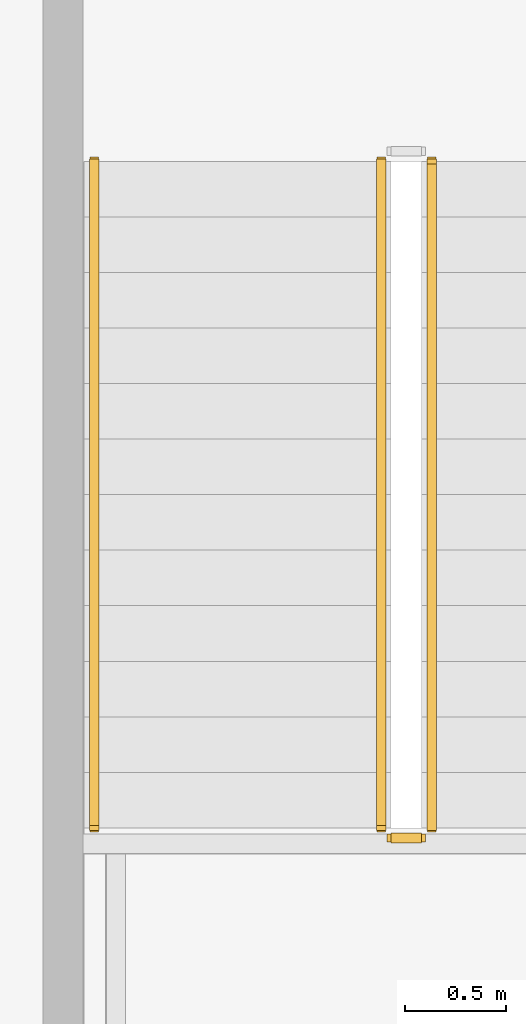
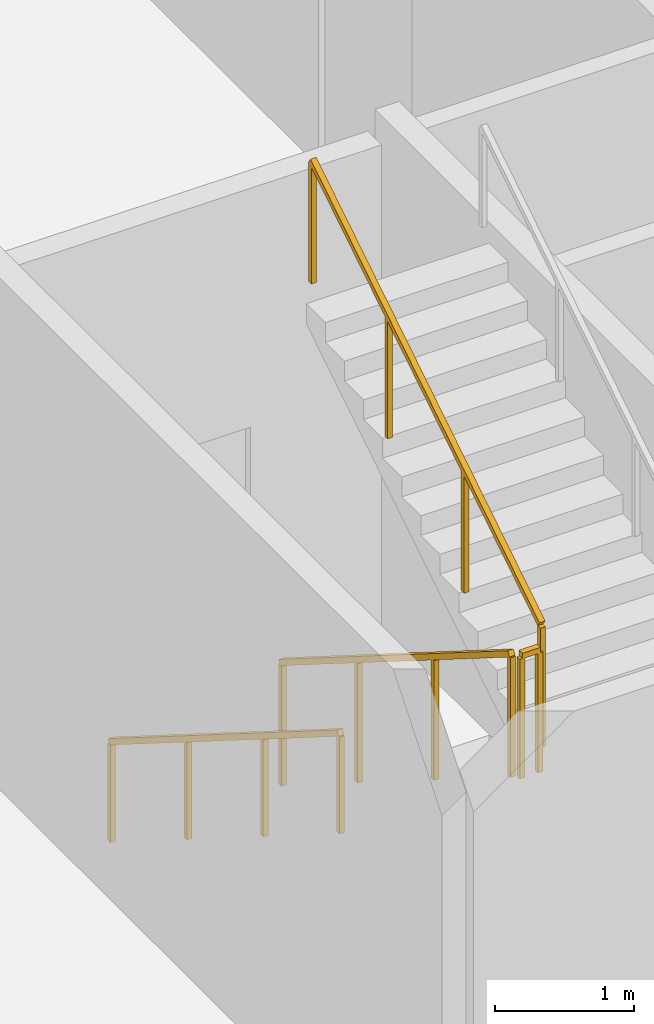
# One storey, part 13 of 18: 4 railings.
"""IFC4 building model written with IfcOpenShell, lengths in metres."""

from ifc_helpers import new_model, si_unit, direction, frame, origin, origin_2d, place, context, subcontext, project, spatial, rectangle, extrude, material, type_object, element, save


model = new_model("IFC4")

# Units and contexts
model_context = context("Model", 3, precision=1e-05, world=origin(), true_north=direction((0.0, 1.0)))
body_context = subcontext(model_context, "Body", "Model", "MODEL_VIEW")
ifc_project = project(units=[si_unit("LENGTHUNIT", "METRE"), si_unit("AREAUNIT", "SQUARE_METRE"), si_unit("VOLUMEUNIT", "CUBIC_METRE"), si_unit("PLANEANGLEUNIT", "RADIAN"), si_unit("MASSUNIT", "GRAM", prefix="KILO")], contexts=[model_context])

# Site, building, storey
site_placement = place(None, origin())
site = spatial("IfcSite", under=ifc_project, at=site_placement, CompositionType="ELEMENT")
building_placement = place(site_placement, origin())
building = spatial("IfcBuilding", under=site, at=building_placement, Name="Cinnabar Lancet Tower", CompositionType="ELEMENT")
storey_placement = place(building_placement, frame((0.0, 0.0, 10.5)))
storey = spatial("IfcBuildingStorey", under=building, at=storey_placement, Name="L02", CompositionType="ELEMENT", Elevation=10.5)

# Railings
ifc_material_1 = material(Name="Painted galvanized steel balustrade", Category="steel")
railing_type_1 = type_object("IfcRailingType", Name="GUARD-STAIR", PredefinedType="GUARDRAIL", material=ifc_material_1)
railing_1_placement = place(storey_placement, frame((15.695068359375, 16.14990234375, 0.173095703125)))
element("IfcRailing", 1, at=railing_1_placement, inside=storey, type_object=railing_type_1, Name="L02 ST-3 stair guard 1", PredefinedType="GUARDRAIL", context=body_context, shape_type="SweptSolid", body=[
    extrude(rectangle(XDim=0.048095703125, YDim=0.048095703125, at=origin_2d()), frame((0.0, 0.0, 1.076171875), z_axis=(0.0, -0.846319618018, 0.532675421018), x_axis=(1.0, 0.0, 0.0)), (0.0, 0.0, 1.0), 3.89892578125),
    extrude(rectangle(XDim=0.0419921875, YDim=0.0419921875, at=origin_2d()), origin(), (0.0, 0.0, 1.0), 1.052001953125),
    extrude(rectangle(XDim=0.0419921875, YDim=0.0419921875, at=origin_2d()), frame((0.0, -1.099853515625, 0.6923828125)), (0.0, 0.0, 1.0), 1.052001953125),
    extrude(rectangle(XDim=0.0419921875, YDim=0.0419921875, at=origin_2d()), frame((0.0, -2.199951171875, 1.384521484375)), (0.0, 0.0, 1.0), 1.052001953125),
    extrude(rectangle(XDim=0.0419921875, YDim=0.0419921875, at=origin_2d()), frame((0.0, -3.2998046875, 2.076904296875)), (0.0, 0.0, 1.0), 1.052001953125),
])
railing_2_placement = place(storey_placement, frame((15.7451171875, 12.800048828125, 2.25)))
element("IfcRailing", 2, at=railing_2_placement, inside=storey, type_object=railing_type_1, Name="L02 ST-3 stair guard 2", PredefinedType="GUARDRAIL", context=body_context, shape_type="SweptSolid", body=[
    extrude(rectangle(XDim=0.048095703125, YDim=0.048095703125, at=origin_2d()), frame((0.0, 0.0, 1.076171875), z_axis=(1.0, 0.0, 0.0), x_axis=(0.0, 1.0, 0.0)), (0.0, 0.0, 1.0), 0.14990234375),
    extrude(rectangle(XDim=0.0419921875, YDim=0.0419921875, at=origin_2d()), origin(), (0.0, 0.0, 1.0), 1.052001953125),
    extrude(rectangle(XDim=0.0419921875, YDim=0.0419921875, at=origin_2d()), frame((0.14990234375, 0.0, 0.0)), (0.0, 0.0, 1.0), 1.052001953125),
])
railing_3_placement = place(storey_placement, frame((15.945068359375, 12.85009765625, 2.423095703125)))
element("IfcRailing", 3, at=railing_3_placement, inside=storey, type_object=railing_type_1, Name="L02 ST-3 stair guard 3", PredefinedType="GUARDRAIL", context=body_context, shape_type="SweptSolid", body=[
    extrude(rectangle(XDim=0.048095703125, YDim=0.048095703125, at=origin_2d()), frame((0.0, 0.0, 1.076171875), z_axis=(0.0, 0.846319618018, 0.532675421018), x_axis=(-1.0, 0.0, 0.0)), (0.0, 0.0, 1.0), 3.89892578125),
    extrude(rectangle(XDim=0.0419921875, YDim=0.0419921875, at=origin_2d()), origin(), (0.0, 0.0, 1.0), 1.052001953125),
    extrude(rectangle(XDim=0.0419921875, YDim=0.0419921875, at=origin_2d()), frame((0.0, 1.099853515625, 0.6923828125)), (0.0, 0.0, 1.0), 1.052001953125),
    extrude(rectangle(XDim=0.0419921875, YDim=0.0419921875, at=origin_2d()), frame((0.0, 2.199951171875, 1.384521484375)), (0.0, 0.0, 1.0), 1.052001953125),
    extrude(rectangle(XDim=0.0419921875, YDim=0.0419921875, at=origin_2d()), frame((0.0, 3.2998046875, 2.076904296875)), (0.0, 0.0, 1.0), 1.052001953125),
])
ifc_material_2 = material(Name="Brushed stainless steel handrail", Category="steel")
railing_type_2 = type_object("IfcRailingType", Name="HANDRAIL-STAIR", PredefinedType="HANDRAIL", material=ifc_material_2)
railing_4_placement = place(storey_placement, frame((14.27490234375, 16.14990234375, 0.173095703125)))
element("IfcRailing", 4, at=railing_4_placement, inside=storey, type_object=railing_type_2, Name="L02 ST-3 stair handrail 1", PredefinedType="HANDRAIL", context=body_context, shape_type="SweptSolid", body=[
    extrude(rectangle(XDim=0.048095703125, YDim=0.048095703125, at=origin_2d()), frame((0.0, 0.0, 0.8759765625), z_axis=(0.0, -0.846319618018, 0.532675421018), x_axis=(1.0, 0.0, 0.0)), (0.0, 0.0, 1.0), 3.89892578125),
    extrude(rectangle(XDim=0.0419921875, YDim=0.0419921875, at=origin_2d()), origin(), (0.0, 0.0, 1.0), 0.851806640625),
    extrude(rectangle(XDim=0.0419921875, YDim=0.0419921875, at=origin_2d()), frame((0.0, -1.099853515625, 0.6923828125)), (0.0, 0.0, 1.0), 0.851806640625),
    extrude(rectangle(XDim=0.0419921875, YDim=0.0419921875, at=origin_2d()), frame((0.0, -2.199951171875, 1.384521484375)), (0.0, 0.0, 1.0), 0.851806640625),
    extrude(rectangle(XDim=0.0419921875, YDim=0.0419921875, at=origin_2d()), frame((0.0, -3.2998046875, 2.076904296875)), (0.0, 0.0, 1.0), 0.851806640625),
])

save(model, "model.ifc")
